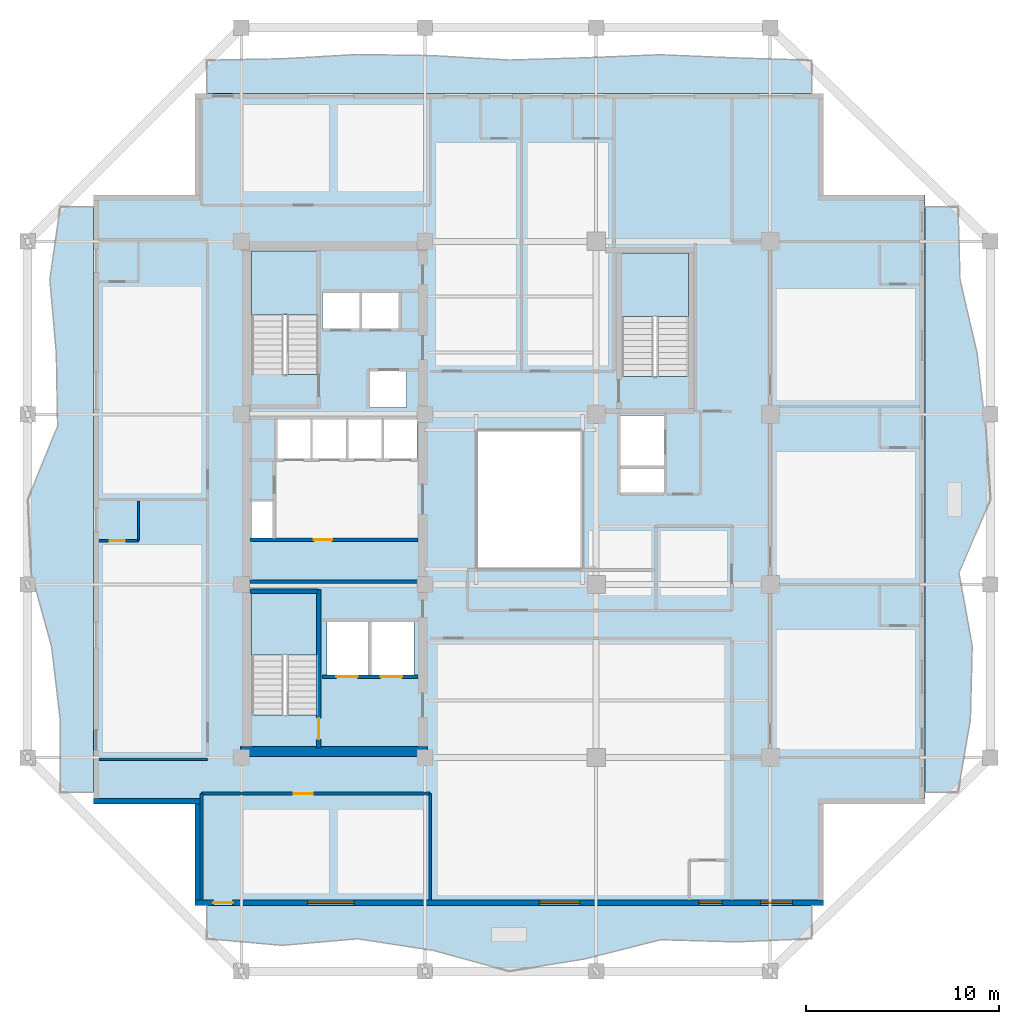
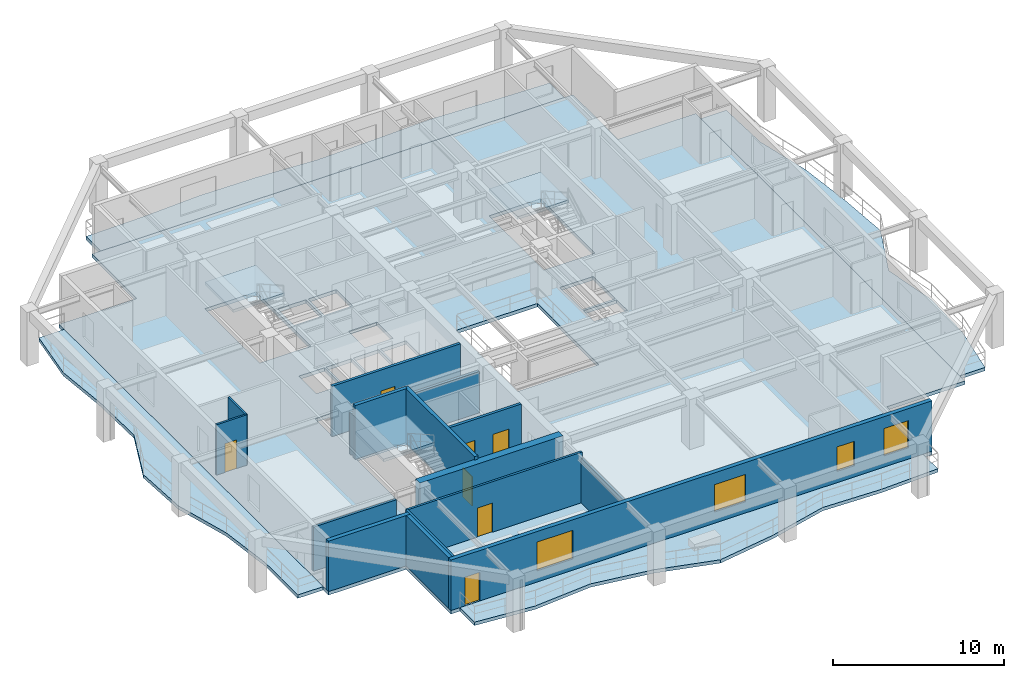
# One storey, part 2 of 12: 15 walls, 8 slabs, 7 doors, 4 windows, 11 openings, 3 elements without a shape of their own.
"""IFC4 building model written with IfcOpenShell, lengths in metres."""

from ifc_helpers import new_model, si_unit, direction, frame, frame_2d, origin, place, context, subcontext, project, spatial, polyline, rectangle, outline, extrude, material, layer, layer_set, type_object, element, fill, aggregate, save


model = new_model("IFC4")

# Units and contexts
model_context = context("Model", 3, precision=1e-05, world=origin(), true_north=direction((0.0, 1.0)))
body_context = subcontext(model_context, "Body", "Model", "MODEL_VIEW")
ifc_project = project(units=[si_unit("LENGTHUNIT", "METRE"), si_unit("AREAUNIT", "SQUARE_METRE"), si_unit("VOLUMEUNIT", "CUBIC_METRE"), si_unit("PLANEANGLEUNIT", "RADIAN"), si_unit("MASSUNIT", "GRAM", prefix="KILO")], contexts=[model_context])

# Site, building, storey
site_placement = place(None, origin())
site = spatial("IfcSite", under=ifc_project, at=site_placement, CompositionType="ELEMENT")
building_placement = place(site_placement, origin())
building = spatial("IfcBuilding", under=site, at=building_placement, Name="Kundavana Baori Tower", CompositionType="ELEMENT")
storey_placement = place(building_placement, frame((0.0, 0.0, 196.39990234375)))
storey = spatial("IfcBuildingStorey", under=building, at=storey_placement, Name="L48", CompositionType="ELEMENT", Elevation=196.39990234375)

# Slab
ifc_material_1 = material(Name="Concrete C40/50", Category="concrete")
ifc_layer_1 = layer(ifc_material_1, 0.25, Name="SLB-FLR-250")
ifc_layer_set_1 = layer_set([ifc_layer_1], Name="Concrete C40/50")
slab_type_1 = type_object("IfcSlabType", Name="SLB-FLR-250", PredefinedType="FLOOR", material=ifc_layer_set_1)
slab_1_placement = place(storey_placement, frame((0.0, 0.0, -0.25)))
element("IfcSlab", 1, at=slab_1_placement, inside=storey, type_object=slab_type_1, Name="L48 Structural Floor Slab", PredefinedType="FLOOR", context=body_context, shape_type="SweptSolid", body=[
    extrude(outline(polyline([(13.050048828125, 7.60009765625), (45.550048828125, 7.60009765625), (45.550048828125, 12.85009765625), (50.800048828125, 12.85009765625), (50.800048828125, 44.35009765625), (45.550048828125, 44.35009765625), (45.550048828125, 49.60009765625), (13.050048828125, 49.60009765625), (13.050048828125, 44.35009765625), (7.800048828125, 44.35009765625), (7.800048828125, 12.85009765625), (13.050048828125, 12.85009765625), (13.050048828125, 7.60009765625)]), holes=[polyline([(19.43994140625, 17.4619140625), (19.43994140625, 23.85009765625), (15.97998046875, 23.85009765625), (15.97998046875, 17.4619140625), (19.43994140625, 17.4619140625)]), polyline([(19.43994140625, 35.06201171875), (19.43994140625, 41.449951171875), (15.97998046875, 41.449951171875), (15.97998046875, 35.06201171875), (19.43994140625, 35.06201171875)]), polyline([(38.580078125, 34.9619140625), (38.580078125, 41.35009765625), (35.1201171875, 41.35009765625), (35.1201171875, 34.9619140625), (38.580078125, 34.9619140625)]), polyline([(17.300048828125, 30.699951171875), (19.02001953125, 30.699951171875), (19.02001953125, 32.75), (17.300048828125, 32.75), (17.300048828125, 30.699951171875)]), polyline([(19.139892578125, 30.699951171875), (20.860107421875, 30.699951171875), (20.860107421875, 32.75), (19.139892578125, 32.75), (19.139892578125, 30.699951171875)]), polyline([(20.97998046875, 30.699951171875), (22.699951171875, 30.699951171875), (22.699951171875, 32.75), (20.97998046875, 32.75), (20.97998046875, 30.699951171875)]), polyline([(22.820068359375, 30.699951171875), (24.5400390625, 30.699951171875), (24.5400390625, 32.75), (22.820068359375, 32.75), (22.820068359375, 30.699951171875)]), polyline([(19.64990234375, 37.39990234375), (21.550048828125, 37.39990234375), (21.550048828125, 39.300048828125), (19.64990234375, 39.300048828125), (19.64990234375, 37.39990234375)]), polyline([(21.699951171875, 37.39990234375), (23.60009765625, 37.39990234375), (23.60009765625, 39.300048828125), (21.699951171875, 39.300048828125), (21.699951171875, 37.39990234375)]), polyline([(22.10009765625, 33.35009765625), (24.0, 33.35009765625), (24.0, 35.25), (22.10009765625, 35.25), (22.10009765625, 33.35009765625)]), polyline([(19.8798828125, 19.5), (22.02001953125, 19.5), (22.02001953125, 22.25), (19.8798828125, 22.25), (19.8798828125, 19.5)]), polyline([(22.179931640625, 19.5), (24.3798828125, 19.5), (24.3798828125, 22.25), (22.179931640625, 22.25), (22.179931640625, 19.5)]), polyline([(35.050048828125, 30.35009765625), (37.300048828125, 30.35009765625), (37.300048828125, 32.949951171875), (35.050048828125, 32.949951171875), (35.050048828125, 30.35009765625)]), polyline([(15.949951171875, 26.60009765625), (17.080078125, 26.60009765625), (17.080078125, 28.5), (15.949951171875, 28.5), (15.949951171875, 26.60009765625)]), polyline([(35.050048828125, 28.949951171875), (37.300048828125, 28.949951171875), (37.300048828125, 30.199951171875), (35.050048828125, 30.199951171875), (35.050048828125, 28.949951171875)]), polyline([(27.60009765625, 25.0), (33.10009765625, 25.0), (33.10009765625, 32.199951171875), (27.60009765625, 32.199951171875), (27.60009765625, 25.0)])]), origin(), (0.0, 0.0, 1.0), 0.25),
])

# Stair, slab
ifc_material_2 = material(Name="Concrete C40/50", Category="concrete")
stair_type = type_object("IfcStairType", Name="STR-DOG-1650", PredefinedType="HALF_TURN_STAIR", material=ifc_material_2)
stair_1_placement = place(storey_placement, origin())
stair_1 = element("IfcStair", 2, at=stair_1_placement, inside=storey, type_object=stair_type, Name="L48 Protected Exit Stair ST1", PredefinedType="HALF_TURN_STAIR")
ifc_material_3 = material(Name="Concrete C40/50", Category="concrete")
ifc_layer_2 = layer(ifc_material_3, 0.199951171875, Name="SLB-LND-200")
ifc_layer_set_2 = layer_set([ifc_layer_2], Name="Concrete C40/50")
slab_type_2 = type_object("IfcSlabType", Name="SLB-LND-200", PredefinedType="LANDING", material=ifc_layer_set_2)
slab_2_placement = place(storey_placement, frame((0.0, 0.0, 1.72509765625)))
slab_2 = element("IfcSlab", 3, at=slab_2_placement, type_object=slab_type_2, Name="ST1 landing 1", PredefinedType="LANDING", context=body_context, shape_type="SweptSolid", body=[
    extrude(outline(polyline([(19.43994140625, 20.550048828125), (19.43994140625, 23.85009765625), (15.97998046875, 23.85009765625), (15.97998046875, 20.550048828125), (19.43994140625, 20.550048828125)])), origin(), (0.0, 0.0, 1.0), 0.199951171875),
])
aggregate(stair_1, [slab_2])

stair_2_placement = place(storey_placement, origin())
stair_2 = element("IfcStair", 4, at=stair_2_placement, inside=storey, type_object=stair_type, Name="L48 Protected Exit Stair ST2", PredefinedType="HALF_TURN_STAIR")
slab_3_placement = place(storey_placement, frame((0.0, 0.0, 1.72509765625)))
slab_3 = element("IfcSlab", 5, at=slab_3_placement, type_object=slab_type_2, Name="ST2 landing 1", PredefinedType="LANDING", context=body_context, shape_type="SweptSolid", body=[
    extrude(outline(polyline([(19.43994140625, 38.14990234375), (19.43994140625, 41.449951171875), (15.97998046875, 41.449951171875), (15.97998046875, 38.14990234375), (19.43994140625, 38.14990234375)])), origin(), (0.0, 0.0, 1.0), 0.199951171875),
])
aggregate(stair_2, [slab_3])

stair_3_placement = place(storey_placement, origin())
stair_3 = element("IfcStair", 6, at=stair_3_placement, inside=storey, type_object=stair_type, Name="L48 Protected Exit Stair ST3", PredefinedType="HALF_TURN_STAIR")
slab_4_placement = place(storey_placement, frame((0.0, 0.0, 1.72509765625)))
slab_4 = element("IfcSlab", 7, at=slab_4_placement, type_object=slab_type_2, Name="ST3 landing 1", PredefinedType="LANDING", context=body_context, shape_type="SweptSolid", body=[
    extrude(outline(polyline([(38.580078125, 38.050048828125), (38.580078125, 41.35009765625), (35.1201171875, 41.35009765625), (35.1201171875, 38.050048828125), (38.580078125, 38.050048828125)])), origin(), (0.0, 0.0, 1.0), 0.199951171875),
])
aggregate(stair_3, [slab_4])

# Slabs
ifc_material_4 = material(Name="Concrete C40/50", Category="concrete")
ifc_layer_3 = layer(ifc_material_4, 0.239990234375, Name="SLB-LOG-240")
ifc_layer_set_3 = layer_set([ifc_layer_3], Name="Concrete C40/50")
slab_type_3 = type_object("IfcSlabType", Name="SLB-LOG-240", PredefinedType="FLOOR", material=ifc_layer_set_3)
slab_5_placement = place(storey_placement, frame((0.0, 0.0, -0.239990234375)))
element("IfcSlab", 8, at=slab_5_placement, inside=storey, type_object=slab_type_3, Name="L48 Planted Loggia Balcony Slab S", PredefinedType="FLOOR", context=body_context, shape_type="SweptSolid", body=[
    extrude(outline(polyline([(13.64990234375, 7.60009765625), (44.949951171875, 7.60009765625), (44.949951171875, 5.8798828125), (41.0380859375, 5.712890625), (37.125, 5.825927734375), (33.212890625, 4.8310546875), (29.300048828125, 4.199951171875), (25.387939453125, 5.27001953125), (21.47509765625, 5.8740234375), (17.56201171875, 5.534912109375), (13.64990234375, 5.8798828125), (13.64990234375, 7.60009765625)])), origin(), (0.0, 0.0, 1.0), 0.239990234375),
])
slab_6_placement = place(storey_placement, frame((0.0, 0.0, -0.239990234375)))
element("IfcSlab", 9, at=slab_6_placement, inside=storey, type_object=slab_type_3, Name="L48 Planted Loggia Balcony Slab E", PredefinedType="FLOOR", context=body_context, shape_type="SweptSolid", body=[
    extrude(outline(polyline([(50.800048828125, 13.449951171875), (50.800048828125, 43.75), (52.52001953125, 43.75), (52.6259765625, 39.9619140625), (53.5048828125, 36.175048828125), (53.93701171875, 32.387939453125), (54.199951171875, 28.60009765625), (52.570068359375, 24.81201171875), (53.2548828125, 21.02490234375), (53.160888671875, 17.238037109375), (52.52001953125, 13.449951171875), (50.800048828125, 13.449951171875)])), origin(), (0.0, 0.0, 1.0), 0.239990234375),
])
slab_7_placement = place(storey_placement, frame((0.0, 0.0, -0.239990234375)))
element("IfcSlab", 10, at=slab_7_placement, inside=storey, type_object=slab_type_3, Name="L48 Planted Loggia Balcony Slab N", PredefinedType="FLOOR", context=body_context, shape_type="SweptSolid", body=[
    extrude(outline(polyline([(44.949951171875, 49.60009765625), (13.64990234375, 49.60009765625), (13.64990234375, 51.320068359375), (17.56201171875, 51.39501953125), (21.47509765625, 51.614990234375), (25.387939453125, 51.555908203125), (29.300048828125, 51.3291015625), (33.212890625, 51.446044921875), (37.125, 51.60302734375), (41.0380859375, 51.43896484375), (44.949951171875, 51.320068359375), (44.949951171875, 49.60009765625)])), origin(), (0.0, 0.0, 1.0), 0.239990234375),
])
slab_8_placement = place(storey_placement, frame((0.0, 0.0, -0.239990234375)))
element("IfcSlab", 11, at=slab_8_placement, inside=storey, type_object=slab_type_3, Name="L48 Planted Loggia Balcony Slab W", PredefinedType="FLOOR", context=body_context, shape_type="SweptSolid", body=[
    extrude(outline(polyline([(7.800048828125, 43.75), (7.800048828125, 13.449951171875), (6.080078125, 13.449951171875), (6.077880859375, 17.238037109375), (5.626953125, 21.02490234375), (4.576904296875, 24.81201171875), (4.39990234375, 28.60009765625), (5.945068359375, 32.387939453125), (5.876953125, 36.175048828125), (5.5439453125, 39.9619140625), (6.080078125, 43.75), (7.800048828125, 43.75)])), origin(), (0.0, 0.0, 1.0), 0.239990234375),
])

# Wall, opening, door
ifc_material_5 = material(Name="Concrete C50/60", Category="concrete")
ifc_layer_4 = layer(ifc_material_5, 0.39990234375, Name="WL-CORE-400")
ifc_layer_set_4 = layer_set([ifc_layer_4], Name="Concrete C50/60")
wall_type_1 = type_object("IfcWallType", Name="WL-CORE-400", PredefinedType="SHEAR", material=ifc_layer_set_4)
wall_1_placement = place(storey_placement, frame((19.4599609375, 15.739990234375, 0.0), z_axis=(0.0, 0.0, 1.0), x_axis=(0.0, 1.0, 0.0)))
wall_1 = element("IfcWall", 12, at=wall_1_placement, inside=storey, type_object=wall_type_1, Name="WL-L48-ST1-E", PredefinedType="SHEAR", context=body_context, shape_type="SweptSolid", body=[
    extrude(rectangle(XDim=8.199951171875, YDim=0.239990234375, at=frame_2d((4.10009765625, 0.0))), origin(), (0.0, 0.0, 1.0), 3.85009765625),
])
opening_1_placement = place(wall_1_placement, frame((0.449951171875, 0.0, 0.0)))
opening_1 = element("IfcOpeningElement", 13, at=opening_1_placement, cuts=wall_1, Name="Opening FD-110", PredefinedType="OPENING", context=body_context, shape_type="SweptSolid", body=[
    extrude(rectangle(XDim=1.10009765625, YDim=2.10009765625, at=frame_2d((0.550048828125, 1.050048828125))), frame((0.0, 0.1298828125, 0.0), z_axis=(0.0, -1.0, 0.0), x_axis=(1.0, 0.0, 0.0)), (0.0, 0.0, 1.0), 0.260009765625),
])
ifc_material_6 = material(Name="Galvanised Steel Fire-Rated Door Leaf", Category="steel")
door_type_1 = type_object("IfcDoorType", Name="DR-FD120-1100", OperationType="NOTDEFINED", PredefinedType="DOOR", material=ifc_material_6)
door_1_placement = place(opening_1_placement, origin())
door_1 = element("IfcDoor", 14, at=door_1_placement, inside=storey, type_object=door_type_1, Name="DR-L48-ST1", OperationType="SINGLE_SWING_LEFT", OverallHeight=2.10009765625, OverallWidth=1.10009765625, PredefinedType="DOOR", context=body_context, shape_type="SweptSolid", body=[
    extrude(rectangle(XDim=1.10009765625, YDim=2.10009765625, at=frame_2d((0.550048828125, 1.050048828125))), frame((0.0, 0.02490234375, 0.0), z_axis=(0.0, -1.0, 0.0), x_axis=(1.0, 0.0, 0.0)), (0.0, 0.0, 1.0), 0.050048828125),
])
fill(opening_1, door_1)

# Walls
wall_2_placement = place(storey_placement, frame((15.89990234375, 23.860107421875, 0.0), z_axis=(0.0, 0.0, 1.0), x_axis=(1.0, 0.0, 0.0)))
element("IfcWall", 15, at=wall_2_placement, inside=storey, type_object=wall_type_1, Name="WL-L48-ST1-N", PredefinedType="SHEAR", context=body_context, shape_type="SweptSolid", body=[
    extrude(rectangle(XDim=3.52001953125, YDim=0.239990234375, at=frame_2d((1.760009765625, 0.0))), origin(), (0.0, 0.0, 1.0), 3.85009765625),
])
ifc_material_7 = material(Name="Concrete C50/60", Category="concrete")
ifc_layer_5 = layer(ifc_material_7, 0.5, Name="WL-CORE-500")
ifc_layer_set_5 = layer_set([ifc_layer_5], Name="Concrete C50/60")
wall_type_2 = type_object("IfcWallType", Name="WL-CORE-500", PredefinedType="SHEAR", material=ifc_layer_set_5)
wall_3_placement = place(storey_placement, frame((15.39990234375, 15.56005859375, 0.0), z_axis=(0.0, 0.0, 1.0), x_axis=(1.0, 0.0, 0.0)))
element("IfcWall", 16, at=wall_3_placement, inside=storey, type_object=wall_type_2, Name="L48 Offset Core South Shear Wall", PredefinedType="SHEAR", context=body_context, shape_type="SweptSolid", body=[
    extrude(rectangle(XDim=9.68017578125, YDim=0.5, at=frame_2d((4.840087890625, 0.0))), origin(), (0.0, 0.0, 1.0), 3.60009765625),
])

# Wall, openings, door, windows
ifc_material_8 = material(Name="Red-Buff Dholpur Sandstone Cladding on Concrete C40/50", Category="masonry")
ifc_layer_6 = layer(ifc_material_8, 0.280029296875, Name="WL-EXT-SAND-280")
ifc_layer_set_6 = layer_set([ifc_layer_6], Name="Red-Buff Dholpur Sandstone Cladding on Concrete C40/50")
wall_type_3 = type_object("IfcWallType", Name="WL-EXT-SAND-280", PredefinedType="STANDARD", material=ifc_layer_set_6)
wall_4_placement = place(storey_placement, frame((13.050048828125, 7.739990234375, 0.0), z_axis=(0.0, 0.0, 1.0), x_axis=(1.0, 0.0, 0.0)))
wall_4 = element("IfcWall", 17, at=wall_4_placement, inside=storey, type_object=wall_type_3, Name="L48 Exterior Insulated Facade Wall 01", PredefinedType="STANDARD", context=body_context, shape_type="SweptSolid", body=[
    extrude(rectangle(XDim=32.5, YDim=0.280029296875, at=frame_2d((16.25, 0.0))), origin(), (0.0, 0.0, 1.0), 3.60009765625),
])
opening_2_placement = place(wall_4_placement, frame((0.949951171875, 0.0, 0.0)))
opening_2 = element("IfcOpeningElement", 18, at=opening_2_placement, cuts=wall_4, Name="Opening BD-1", PredefinedType="OPENING", context=body_context, shape_type="SweptSolid", body=[
    extrude(rectangle(XDim=1.0, YDim=2.050048828125, at=frame_2d((0.5, 1.02490234375))), frame((0.0, 0.14990234375, 0.0), z_axis=(0.0, -1.0, 0.0), x_axis=(1.0, 0.0, 0.0)), (0.0, 0.0, 1.0), 0.300048828125),
])
opening_3_placement = place(wall_4_placement, frame((5.830078125, 0.0, 0.800048828125)))
opening_3 = element("IfcOpeningElement", 19, at=opening_3_placement, cuts=wall_4, Name="Opening W-04", PredefinedType="OPENING", context=body_context, shape_type="SweptSolid", body=[
    extrude(rectangle(XDim=2.39990234375, YDim=2.050048828125, at=frame_2d((1.199951171875, 1.02490234375))), frame((0.0, 0.14990234375, 0.0), z_axis=(0.0, -1.0, 0.0), x_axis=(1.0, 0.0, 0.0)), (0.0, 0.0, 1.0), 0.300048828125),
])
opening_4_placement = place(wall_4_placement, frame((17.81494140625, 0.0, 0.800048828125)))
opening_4 = element("IfcOpeningElement", 20, at=opening_4_placement, cuts=wall_4, Name="Opening W-05", PredefinedType="OPENING", context=body_context, shape_type="SweptSolid", body=[
    extrude(rectangle(XDim=2.10009765625, YDim=1.949951171875, at=frame_2d((1.050048828125, 0.97509765625))), frame((0.0, 0.14990234375, 0.0), z_axis=(0.0, -1.0, 0.0), x_axis=(1.0, 0.0, 0.0)), (0.0, 0.0, 1.0), 0.300048828125),
])
opening_5_placement = place(wall_4_placement, frame((26.06494140625, 0.0, 0.800048828125)))
opening_5 = element("IfcOpeningElement", 21, at=opening_5_placement, cuts=wall_4, Name="Opening W-03", PredefinedType="OPENING", context=body_context, shape_type="SweptSolid", body=[
    extrude(rectangle(XDim=1.199951171875, YDim=1.75, at=frame_2d((0.60009765625, 0.875))), frame((0.0, 0.14990234375, 0.0), z_axis=(0.0, -1.0, 0.0), x_axis=(1.0, 0.0, 0.0)), (0.0, 0.0, 1.0), 0.300048828125),
])
opening_6_placement = place(wall_4_placement, frame((29.2548828125, 0.0, 0.800048828125)))
opening_6 = element("IfcOpeningElement", 22, at=opening_6_placement, cuts=wall_4, Name="Opening W-08", PredefinedType="OPENING", context=body_context, shape_type="SweptSolid", body=[
    extrude(rectangle(XDim=1.64990234375, YDim=1.949951171875, at=frame_2d((0.824951171875, 0.97509765625))), frame((0.0, 0.14990234375, 0.0), z_axis=(0.0, -1.0, 0.0), x_axis=(1.0, 0.0, 0.0)), (0.0, 0.0, 1.0), 0.300048828125),
])
ifc_material_9 = material(Name="Architectural Patinated Bronze Metalwork")
door_type_2 = type_object("IfcDoorType", Name="DR-EXT-LOG-1000", OperationType="NOTDEFINED", PredefinedType="DOOR", material=ifc_material_9)
door_2_placement = place(opening_2_placement, frame((1.0, 0.0, 0.0), z_axis=(0.0, 0.0, 1.0), x_axis=(-1.0, 0.0, 0.0)))
door_2 = element("IfcDoor", 23, at=door_2_placement, inside=storey, type_object=door_type_2, Name="L48 Loggia Balcony Access Door S", OperationType="SINGLE_SWING_LEFT", OverallHeight=2.050048828125, OverallWidth=1.0, PredefinedType="DOOR", context=body_context, shape_type="SweptSolid", body=[
    extrude(rectangle(XDim=1.0, YDim=2.050048828125, at=frame_2d((0.5, 1.02490234375))), frame((0.0, 0.02490234375, 0.0), z_axis=(0.0, -1.0, 0.0), x_axis=(1.0, 0.0, 0.0)), (0.0, 0.0, 1.0), 0.050048828125),
])
fill(opening_2, door_2)
ifc_material_10 = material(Name="Double-Glazed Solar-Control Low-E Insulated Glass", Category="glass")
window_type_1 = type_object("IfcWindowType", Name="WIN-LOG-1200x1750", PartitioningType="SINGLE_PANEL", PredefinedType="WINDOW", material=ifc_material_10)
window_1_placement = place(opening_5_placement, origin())
window_1 = element("IfcWindow", 24, at=window_1_placement, inside=storey, type_object=window_type_1, Name="L48 Recessed Loggia Window S-3", OverallHeight=1.75, OverallWidth=1.199951171875, PartitioningType="SINGLE_PANEL", PredefinedType="WINDOW", context=body_context, shape_type="SweptSolid", body=[
    extrude(rectangle(XDim=1.199951171875, YDim=1.75, at=frame_2d((0.60009765625, 0.875))), frame((0.0, 0.030029296875, 0.0), z_axis=(0.0, -1.0, 0.0), x_axis=(1.0, 0.0, 0.0)), (0.0, 0.0, 1.0), 0.06005859375),
])
fill(opening_5, window_1)
ifc_material_11 = material(Name="Double-Glazed Solar-Control Low-E Insulated Glass", Category="glass")
window_type_2 = type_object("IfcWindowType", Name="WIN-LOG-1650x1950", PartitioningType="SINGLE_PANEL", PredefinedType="WINDOW", material=ifc_material_11)
window_2_placement = place(opening_6_placement, origin())
window_2 = element("IfcWindow", 25, at=window_2_placement, inside=storey, type_object=window_type_2, Name="L48 Recessed Loggia Window S-4", OverallHeight=1.949951171875, OverallWidth=1.64990234375, PartitioningType="SINGLE_PANEL", PredefinedType="WINDOW", context=body_context, shape_type="SweptSolid", body=[
    extrude(rectangle(XDim=1.64990234375, YDim=1.949951171875, at=frame_2d((0.824951171875, 0.97509765625))), frame((0.0, 0.030029296875, 0.0), z_axis=(0.0, -1.0, 0.0), x_axis=(1.0, 0.0, 0.0)), (0.0, 0.0, 1.0), 0.06005859375),
])
fill(opening_6, window_2)
ifc_material_12 = material(Name="Double-Glazed Solar-Control Low-E Insulated Glass", Category="glass")
window_type_3 = type_object("IfcWindowType", Name="WIN-LOG-2100x1950", PartitioningType="SINGLE_PANEL", PredefinedType="WINDOW", material=ifc_material_12)
window_3_placement = place(opening_4_placement, origin())
window_3 = element("IfcWindow", 26, at=window_3_placement, inside=storey, type_object=window_type_3, Name="L48 Recessed Loggia Window S-2", OverallHeight=1.949951171875, OverallWidth=2.10009765625, PartitioningType="SINGLE_PANEL", PredefinedType="WINDOW", context=body_context, shape_type="SweptSolid", body=[
    extrude(rectangle(XDim=2.10009765625, YDim=1.949951171875, at=frame_2d((1.050048828125, 0.97509765625))), frame((0.0, 0.030029296875, 0.0), z_axis=(0.0, -1.0, 0.0), x_axis=(1.0, 0.0, 0.0)), (0.0, 0.0, 1.0), 0.06005859375),
])
fill(opening_4, window_3)
ifc_material_13 = material(Name="Double-Glazed Solar-Control Low-E Insulated Glass", Category="glass")
window_type_4 = type_object("IfcWindowType", Name="WIN-LOG-2400x2050", PartitioningType="SINGLE_PANEL", PredefinedType="WINDOW", material=ifc_material_13)
window_4_placement = place(opening_3_placement, origin())
window_4 = element("IfcWindow", 27, at=window_4_placement, inside=storey, type_object=window_type_4, Name="L48 Recessed Loggia Window S-1", OverallHeight=2.050048828125, OverallWidth=2.39990234375, PartitioningType="SINGLE_PANEL", PredefinedType="WINDOW", context=body_context, shape_type="SweptSolid", body=[
    extrude(rectangle(XDim=2.39990234375, YDim=2.050048828125, at=frame_2d((1.199951171875, 1.02490234375))), frame((0.0, 0.030029296875, 0.0), z_axis=(0.0, -1.0, 0.0), x_axis=(1.0, 0.0, 0.0)), (0.0, 0.0, 1.0), 0.06005859375),
])
fill(opening_3, window_4)

# Walls
wall_5_placement = place(storey_placement, frame((7.800048828125, 12.989990234375, 0.0), z_axis=(0.0, 0.0, 1.0), x_axis=(1.0, 0.0, 0.0)))
element("IfcWall", 28, at=wall_5_placement, inside=storey, type_object=wall_type_3, Name="L48 Exterior Insulated Facade Wall 11", PredefinedType="STANDARD", context=body_context, shape_type="SweptSolid", body=[
    extrude(rectangle(XDim=5.530029296875, YDim=0.280029296875, at=frame_2d((2.76513671875, 0.0))), origin(), (0.0, 0.0, 1.0), 3.60009765625),
])
wall_6_placement = place(storey_placement, frame((13.18994140625, 12.85009765625, 0.0), z_axis=(0.0, 0.0, 1.0), x_axis=(0.0, -1.0, 0.0)))
element("IfcWall", 29, at=wall_6_placement, inside=storey, type_object=wall_type_3, Name="L48 Exterior Insulated Facade Wall 12", PredefinedType="STANDARD", context=body_context, shape_type="SweptSolid", body=[
    extrude(rectangle(XDim=4.97021484375, YDim=0.280029296875, at=frame_2d((2.485107421875, 0.0))), origin(), (0.0, 0.0, 1.0), 3.60009765625),
])
ifc_material_14 = material(Name="Fire-Rated Gypsum Drywall on Galvanised Steel Studs", Category="steel")
ifc_layer_7 = layer(ifc_material_14, 0.14990234375, Name="WL-PART-150")
ifc_layer_set_7 = layer_set([ifc_layer_7], Name="Fire-Rated Gypsum Drywall on Galvanised Steel Studs")
wall_type_4 = type_object("IfcWallType", Name="WL-PART-150", PredefinedType="PARTITIONING", material=ifc_layer_set_7)
wall_7_placement = place(storey_placement, frame((8.080078125, 15.159912109375, 0.0), z_axis=(0.0, 0.0, 1.0), x_axis=(1.0, 0.0, 0.0)))
element("IfcWall", 30, at=wall_7_placement, inside=storey, type_object=wall_type_4, Name="WL-L48-HWS", PredefinedType="PARTITIONING", context=body_context, shape_type="SweptSolid", body=[
    extrude(rectangle(XDim=5.619873046875, YDim=0.14990234375, at=frame_2d((2.81005859375, 0.0))), origin(), (0.0, 0.0, 1.0), 3.150146484375),
])

# Wall, opening, door
wall_8_placement = place(storey_placement, frame((13.389892578125, 13.3798828125, 0.0), z_axis=(0.0, 0.0, 1.0), x_axis=(1.0, 0.0, 0.0)))
wall_8 = element("IfcWall", 31, at=wall_8_placement, inside=storey, type_object=wall_type_4, Name="WL-L48-HSC", PredefinedType="PARTITIONING", context=body_context, shape_type="SweptSolid", body=[
    extrude(rectangle(XDim=11.830078125, YDim=0.14990234375, at=frame_2d((5.9150390625, 0.0))), origin(), (0.0, 0.0, 1.0), 3.60009765625),
])
opening_7_placement = place(wall_8_placement, frame((4.760009765625, 0.0, 0.0)))
opening_7 = element("IfcOpeningElement", 32, at=opening_7_placement, cuts=wall_8, Name="Opening ID-100", PredefinedType="OPENING", context=body_context, shape_type="SweptSolid", body=[
    extrude(rectangle(XDim=1.0, YDim=2.080078125, at=frame_2d((0.5, 1.0400390625))), frame((0.0, 0.0849609375, 0.0), z_axis=(0.0, -1.0, 0.0), x_axis=(1.0, 0.0, 0.0)), (0.0, 0.0, 1.0), 0.169921875),
])
ifc_material_15 = material(Name="Engineered Teak Solid-Core Timber Veneer", Category="wood")
door_type_3 = type_object("IfcDoorType", Name="DR-INT-1000", OperationType="NOTDEFINED", PredefinedType="DOOR", material=ifc_material_15)
door_3_placement = place(opening_7_placement, frame((1.0, 0.0, 0.0), z_axis=(0.0, 0.0, 1.0), x_axis=(-1.0, 0.0, 0.0)))
door_3 = element("IfcDoor", 33, at=door_3_placement, inside=storey, type_object=door_type_3, Name="DR-L48-HMSW", OperationType="SINGLE_SWING_LEFT", OverallHeight=2.080078125, OverallWidth=1.0, PredefinedType="DOOR", context=body_context, shape_type="SweptSolid", body=[
    extrude(rectangle(XDim=1.0, YDim=2.080078125, at=frame_2d((0.5, 1.0400390625))), frame((0.0, 0.02490234375, 0.0), z_axis=(0.0, -1.0, 0.0), x_axis=(1.0, 0.0, 0.0)), (0.0, 0.0, 1.0), 0.050048828125),
])
fill(opening_7, door_3)

# Walls
wall_9_placement = place(storey_placement, frame((13.389892578125, 7.8798828125, 0.0), z_axis=(0.0, 0.0, 1.0), x_axis=(0.0, 1.0, 0.0)))
element("IfcWall", 34, at=wall_9_placement, inside=storey, type_object=wall_type_4, Name="WL-L48-HSCW", PredefinedType="PARTITIONING", context=body_context, shape_type="SweptSolid", body=[
    extrude(rectangle(XDim=5.5, YDim=0.14990234375, at=frame_2d((2.75, 0.0))), origin(), (0.0, 0.0, 1.0), 3.60009765625),
])
wall_10_placement = place(storey_placement, frame((25.219970703125, 7.8798828125, 0.0), z_axis=(0.0, 0.0, 1.0), x_axis=(0.0, 1.0, 0.0)))
element("IfcWall", 35, at=wall_10_placement, inside=storey, type_object=wall_type_4, Name="WL-L48-HSCE", PredefinedType="PARTITIONING", context=body_context, shape_type="SweptSolid", body=[
    extrude(rectangle(XDim=5.5, YDim=0.14990234375, at=frame_2d((2.75, 0.0))), origin(), (0.0, 0.0, 1.0), 3.150146484375),
])

# Wall, openings, doors
ifc_material_16 = material(Name="Autoclaved Aerated Concrete Blockwork Masonry", Category="masonry")
ifc_layer_8 = layer(ifc_material_16, 0.179931640625, Name="WL-SHAFT-180")
ifc_layer_set_8 = layer_set([ifc_layer_8], Name="Autoclaved Aerated Concrete Blockwork Masonry")
wall_type_5 = type_object("IfcWallType", Name="WL-SHAFT-180", PredefinedType="SOLIDWALL", material=ifc_layer_set_8)
wall_11_placement = place(storey_placement, frame((19.639892578125, 19.419921875, 0.0), z_axis=(0.0, 0.0, 1.0), x_axis=(1.0, 0.0, 0.0)))
wall_11 = element("IfcWall", 36, at=wall_11_placement, inside=storey, type_object=wall_type_5, Name="WL-L48-FFL-S", PredefinedType="SOLIDWALL", context=body_context, shape_type="SweptSolid", body=[
    extrude(rectangle(XDim=4.940185546875, YDim=0.179931640625, at=frame_2d((2.47021484375, 0.0))), origin(), (0.0, 0.0, 1.0), 3.60009765625),
])
opening_8_placement = place(wall_11_placement, frame((0.719970703125, 0.0, 0.0)))
opening_8 = element("IfcOpeningElement", 37, at=opening_8_placement, cuts=wall_11, Name="Opening LD-110", PredefinedType="OPENING", context=body_context, shape_type="SweptSolid", body=[
    extrude(rectangle(XDim=1.10009765625, YDim=2.10009765625, at=frame_2d((0.550048828125, 1.050048828125))), frame((0.0, 0.10009765625, 0.0), z_axis=(0.0, -1.0, 0.0), x_axis=(1.0, 0.0, 0.0)), (0.0, 0.0, 1.0), 0.199951171875),
])
opening_9_placement = place(wall_11_placement, frame((3.02001953125, 0.0, 0.0)))
opening_9 = element("IfcOpeningElement", 38, at=opening_9_placement, cuts=wall_11, Name="Opening LD-110", PredefinedType="OPENING", context=body_context, shape_type="SweptSolid", body=[
    extrude(rectangle(XDim=1.10009765625, YDim=2.10009765625, at=frame_2d((0.550048828125, 1.050048828125))), frame((0.0, 0.10009765625, 0.0), z_axis=(0.0, -1.0, 0.0), x_axis=(1.0, 0.0, 0.0)), (0.0, 0.0, 1.0), 0.199951171875),
])
ifc_material_17 = material(Name="Galvanised Steel Fire-Rated Door Leaf", Category="steel")
door_type_4 = type_object("IfcDoorType", Name="DR-SLIDE-LD1100", OperationType="NOTDEFINED", PredefinedType="DOOR", material=ifc_material_17)
door_4_placement = place(opening_8_placement, origin())
door_4 = element("IfcDoor", 39, at=door_4_placement, inside=storey, type_object=door_type_4, Name="DR-L48-LD-FFL-1", OperationType="DOUBLE_DOOR_SLIDING", OverallHeight=2.10009765625, OverallWidth=1.10009765625, PredefinedType="DOOR", context=body_context, shape_type="SweptSolid", body=[
    extrude(rectangle(XDim=1.10009765625, YDim=2.10009765625, at=frame_2d((0.550048828125, 1.050048828125))), frame((0.0, 0.02490234375, 0.0), z_axis=(0.0, -1.0, 0.0), x_axis=(1.0, 0.0, 0.0)), (0.0, 0.0, 1.0), 0.050048828125),
])
fill(opening_8, door_4)
door_5_placement = place(opening_9_placement, origin())
door_5 = element("IfcDoor", 40, at=door_5_placement, inside=storey, type_object=door_type_4, Name="DR-L48-LD-FFL-2", OperationType="DOUBLE_DOOR_SLIDING", OverallHeight=2.10009765625, OverallWidth=1.10009765625, PredefinedType="DOOR", context=body_context, shape_type="SweptSolid", body=[
    extrude(rectangle(XDim=1.10009765625, YDim=2.10009765625, at=frame_2d((0.550048828125, 1.050048828125))), frame((0.0, 0.02490234375, 0.0), z_axis=(0.0, -1.0, 0.0), x_axis=(1.0, 0.0, 0.0)), (0.0, 0.0, 1.0), 0.050048828125),
])
fill(opening_9, door_5)

# Wall, opening, door
wall_12_placement = place(storey_placement, frame((15.89990234375, 26.52001953125, 0.0), z_axis=(0.0, 0.0, 1.0), x_axis=(1.0, 0.0, 0.0)))
wall_12 = element("IfcWall", 41, at=wall_12_placement, inside=storey, type_object=wall_type_5, Name="WL-L48-LPLOW-N", PredefinedType="SOLIDWALL", context=body_context, shape_type="SweptSolid", body=[
    extrude(rectangle(XDim=8.68017578125, YDim=0.179931640625, at=frame_2d((4.340087890625, 0.0))), origin(), (0.0, 0.0, 1.0), 3.60009765625),
])
opening_10_placement = place(wall_12_placement, frame((3.300048828125, 0.0, 0.0)))
opening_10 = element("IfcOpeningElement", 42, at=opening_10_placement, cuts=wall_12, Name="Opening FD-095", PredefinedType="OPENING", context=body_context, shape_type="SweptSolid", body=[
    extrude(rectangle(XDim=0.949951171875, YDim=2.10009765625, at=frame_2d((0.47509765625, 1.050048828125))), frame((0.0, 0.10009765625, 0.0), z_axis=(0.0, -1.0, 0.0), x_axis=(1.0, 0.0, 0.0)), (0.0, 0.0, 1.0), 0.199951171875),
])
ifc_material_18 = material(Name="Engineered Teak Fire-Rated Timber Door Leaf", Category="wood")
door_type_5 = type_object("IfcDoorType", Name="DR-FD60-950", OperationType="NOTDEFINED", PredefinedType="DOOR", material=ifc_material_18)
door_6_placement = place(opening_10_placement, origin())
door_6 = element("IfcDoor", 43, at=door_6_placement, inside=storey, type_object=door_type_5, Name="DR-L48-FRLOW1", OperationType="SINGLE_SWING_LEFT", OverallHeight=2.10009765625, OverallWidth=0.949951171875, PredefinedType="DOOR", context=body_context, shape_type="SweptSolid", body=[
    extrude(rectangle(XDim=0.949951171875, YDim=2.10009765625, at=frame_2d((0.47509765625, 1.050048828125))), frame((0.0, 0.02490234375, 0.0), z_axis=(0.0, -1.0, 0.0), x_axis=(1.0, 0.0, 0.0)), (0.0, 0.0, 1.0), 0.050048828125),
])
fill(opening_10, door_6)

# Walls
wall_13_placement = place(storey_placement, frame((15.89990234375, 24.330078125, 0.0), z_axis=(0.0, 0.0, 1.0), x_axis=(1.0, 0.0, 0.0)))
element("IfcWall", 44, at=wall_13_placement, inside=storey, type_object=wall_type_5, Name="WL-L48-LPLOW-S", PredefinedType="SOLIDWALL", context=body_context, shape_type="SweptSolid", body=[
    extrude(rectangle(XDim=8.68017578125, YDim=0.179931640625, at=frame_2d((4.340087890625, 0.0))), origin(), (0.0, 0.0, 1.0), 2.9501953125),
])
ifc_material_19 = material(Name="Autoclaved Aerated Concrete Blockwork Masonry", Category="masonry")
ifc_layer_9 = layer(ifc_material_19, 0.125, Name="WL-WET-120")
ifc_layer_set_9 = layer_set([ifc_layer_9], Name="Autoclaved Aerated Concrete Blockwork Masonry")
wall_type_6 = type_object("IfcWallType", Name="WL-WET-120", PredefinedType="PLUMBINGWALL", material=ifc_layer_set_9)
wall_14_placement = place(storey_placement, frame((10.1298828125, 26.469970703125, 0.0), z_axis=(0.0, 0.0, 1.0), x_axis=(0.0, 1.0, 0.0)))
element("IfcWall", 45, at=wall_14_placement, inside=storey, type_object=wall_type_6, Name="WL-L48-HK-W1-BE", PredefinedType="PLUMBINGWALL", context=body_context, shape_type="SweptSolid", body=[
    extrude(rectangle(XDim=2.050048828125, YDim=0.125, at=frame_2d((1.02490234375, 0.0))), origin(), (0.0, 0.0, 1.0), 3.60009765625),
])

# Wall, opening, door
wall_15_placement = place(storey_placement, frame((8.080078125, 26.469970703125, 0.0), z_axis=(0.0, 0.0, 1.0), x_axis=(1.0, 0.0, 0.0)))
wall_15 = element("IfcWall", 46, at=wall_15_placement, inside=storey, type_object=wall_type_6, Name="WL-L48-HK-W1-BS", PredefinedType="PLUMBINGWALL", context=body_context, shape_type="SweptSolid", body=[
    extrude(rectangle(XDim=2.0498046875, YDim=0.125, at=frame_2d((1.02490234375, 0.0))), origin(), (0.0, 0.0, 1.0), 3.60009765625),
])
opening_11_placement = place(wall_15_placement, frame((0.550048828125, 0.0, 0.0)))
opening_11 = element("IfcOpeningElement", 47, at=opening_11_placement, cuts=wall_15, Name="Opening WD-080", PredefinedType="OPENING", context=body_context, shape_type="SweptSolid", body=[
    extrude(rectangle(XDim=0.800048828125, YDim=2.050048828125, at=frame_2d((0.39990234375, 1.02490234375))), frame((0.0, 0.072509765625, 0.0), z_axis=(0.0, -1.0, 0.0), x_axis=(1.0, 0.0, 0.0)), (0.0, 0.0, 1.0), 0.14501953125),
])
ifc_material_20 = material(Name="Engineered Teak Solid-Core Timber Veneer", Category="wood")
door_type_6 = type_object("IfcDoorType", Name="DR-WET-800", OperationType="NOTDEFINED", PredefinedType="DOOR", material=ifc_material_20)
door_7_placement = place(opening_11_placement, frame((0.800048828125, 0.0, 0.0), z_axis=(0.0, 0.0, 1.0), x_axis=(-1.0, 0.0, 0.0)))
door_7 = element("IfcDoor", 48, at=door_7_placement, inside=storey, type_object=door_type_6, Name="DR-L48-HK-W1-ENS", OperationType="SINGLE_SWING_LEFT", OverallHeight=2.050048828125, OverallWidth=0.800048828125, PredefinedType="DOOR", context=body_context, shape_type="SweptSolid", body=[
    extrude(rectangle(XDim=0.800048828125, YDim=2.050048828125, at=frame_2d((0.39990234375, 1.02490234375))), frame((0.0, 0.02490234375, 0.0), z_axis=(0.0, -1.0, 0.0), x_axis=(1.0, 0.0, 0.0)), (0.0, 0.0, 1.0), 0.050048828125),
])
fill(opening_11, door_7)

save(model, "model.ifc")
